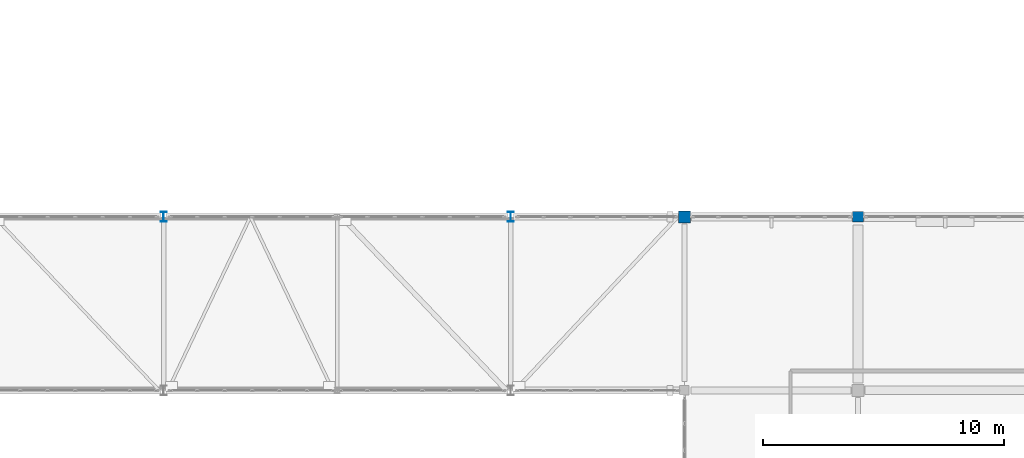
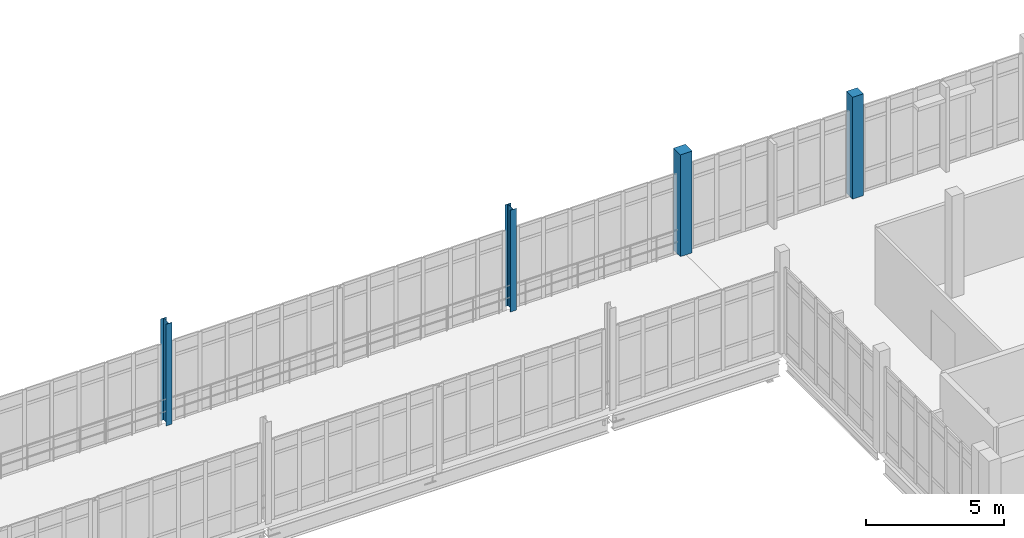
# One storey, part 5 of 116: 4 columns.
"""IFC4 building model written with IfcOpenShell, lengths in metres."""

from ifc_helpers import new_model, si_unit, direction, frame, origin, origin_2d, place, context, subcontext, project, spatial, rectangle, i_section, extrude, material, material_profile, profile_set, type_object, element, save


model = new_model("IFC4")

# Units and contexts
model_context = context("Model", 3, precision=1e-05, world=origin(), true_north=direction((0.0, 1.0)))
body_context = subcontext(model_context, "Body", "Model", "MODEL_VIEW")
ifc_project = project(units=[si_unit("LENGTHUNIT", "METRE"), si_unit("AREAUNIT", "SQUARE_METRE"), si_unit("VOLUMEUNIT", "CUBIC_METRE"), si_unit("PLANEANGLEUNIT", "RADIAN"), si_unit("MASSUNIT", "GRAM", prefix="KILO")], contexts=[model_context])

# Site, building, storey
site_placement = place(None, origin())
site = spatial("IfcSite", under=ifc_project, at=site_placement, CompositionType="ELEMENT")
building_placement = place(site_placement, origin())
building = spatial("IfcBuilding", under=site, at=building_placement, Name="Kalluvel Institute of Natural Sciences", CompositionType="ELEMENT")
storey_placement = place(building_placement, frame((0.0, 0.0, 14.39990234375)))
storey = spatial("IfcBuildingStorey", under=building, at=storey_placement, Name="L03", CompositionType="ELEMENT", Elevation=14.39990234375)

# Columns
ifc_material_1 = material(Name="Steel E350 Grade 350", Category="steel")
ifc_material_profile_1 = material_profile(ifc_material_1, i_section(OverallWidth=0.25, OverallDepth=0.39990234375, WebThickness=0.010498046875, FlangeThickness=0.0126953125, FilletRadius=0.013916015625, at=origin_2d()), Name="ISHB 400")
ifc_profile_set_1 = profile_set([ifc_material_profile_1], Name="Steel E350 Grade 350")
column_type_1 = type_object("IfcColumnType", Name="COL-ISHB400", PredefinedType="COLUMN", material=ifc_profile_set_1)
for number, where, z_axis, x_axis, name in (
    (1, (78.800048828125, 35.60009765625, 0.0), (0.0, 0.0, 1.0), (1.0, 0.0, 0.0), "L03 structural column COL-L03-X788-Y356"),
    (2, (93.199951171875, 35.60009765625, 0.0), (0.0, 0.0, 1.0), (1.0, 0.0, 0.0), "L03 structural column COL-L03-X932-Y356"),
):
    element("IfcColumn", number, at=place(storey_placement, frame(where, z_axis=z_axis, x_axis=x_axis)), inside=storey, type_object=column_type_1, Name=name, PredefinedType="COLUMN", context=body_context, shape_type="SweptSolid", body=[
        extrude(i_section(OverallWidth=0.25, OverallDepth=0.39990234375, WebThickness=0.010498046875, FlangeThickness=0.0126953125, FilletRadius=0.013916015625, at=origin_2d()), origin(), (0.0, 0.0, 1.0), 4.5),
    ])
ifc_material_2 = material(Name="Concrete M40", Category="concrete")
ifc_material_profile_2 = material_profile(ifc_material_2, rectangle(XDim=0.449951171875, YDim=0.449951171875, at=origin_2d()), Name="RC 450x450")
ifc_profile_set_2 = profile_set([ifc_material_profile_2], Name="Concrete M40")
column_type_2 = type_object("IfcColumnType", Name="COL-RC450", PredefinedType="COLUMN", material=ifc_profile_set_2)
column_1_placement = place(storey_placement, frame((107.60009765625, 35.60009765625, 0.0), z_axis=(0.0, 0.0, 1.0), x_axis=(1.0, 0.0, 0.0)))
element("IfcColumn", 3, at=column_1_placement, inside=storey, type_object=column_type_2, Name="L03 structural column COL-L03-X1076-Y356", PredefinedType="COLUMN", context=body_context, shape_type="SweptSolid", body=[
    extrude(rectangle(XDim=0.449951171875, YDim=0.449951171875, at=origin_2d()), origin(), (0.0, 0.0, 1.0), 4.5),
])
ifc_material_profile_3 = material_profile(ifc_material_2, rectangle(XDim=0.5, YDim=0.5, at=origin_2d()), Name="RC 500x500")
ifc_profile_set_3 = profile_set([ifc_material_profile_3], Name="Concrete M40")
column_type_3 = type_object("IfcColumnType", Name="COL-RC500", PredefinedType="COLUMN", material=ifc_profile_set_3)
column_2_placement = place(storey_placement, frame((100.39990234375, 35.60009765625, 0.0), z_axis=(0.0, 0.0, 1.0), x_axis=(1.0, 0.0, 0.0)))
element("IfcColumn", 4, at=column_2_placement, inside=storey, type_object=column_type_3, Name="L03 structural column COL-L03-X1004-Y356", PredefinedType="COLUMN", context=body_context, shape_type="SweptSolid", body=[
    extrude(rectangle(XDim=0.5, YDim=0.5, at=origin_2d()), origin(), (0.0, 0.0, 1.0), 4.5),
])

save(model, "model.ifc")
